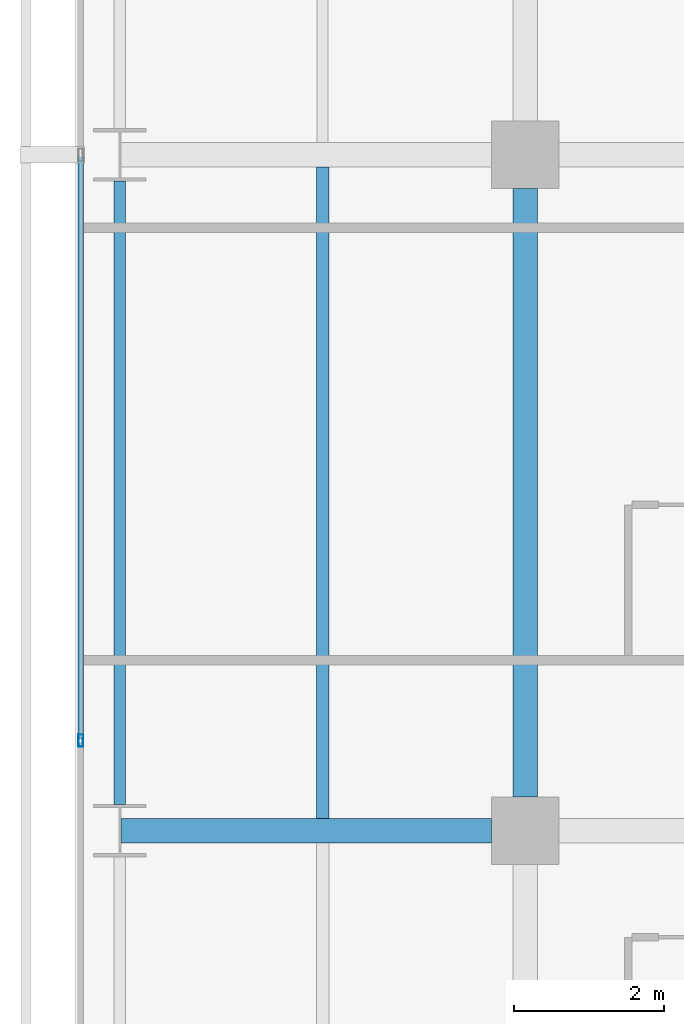
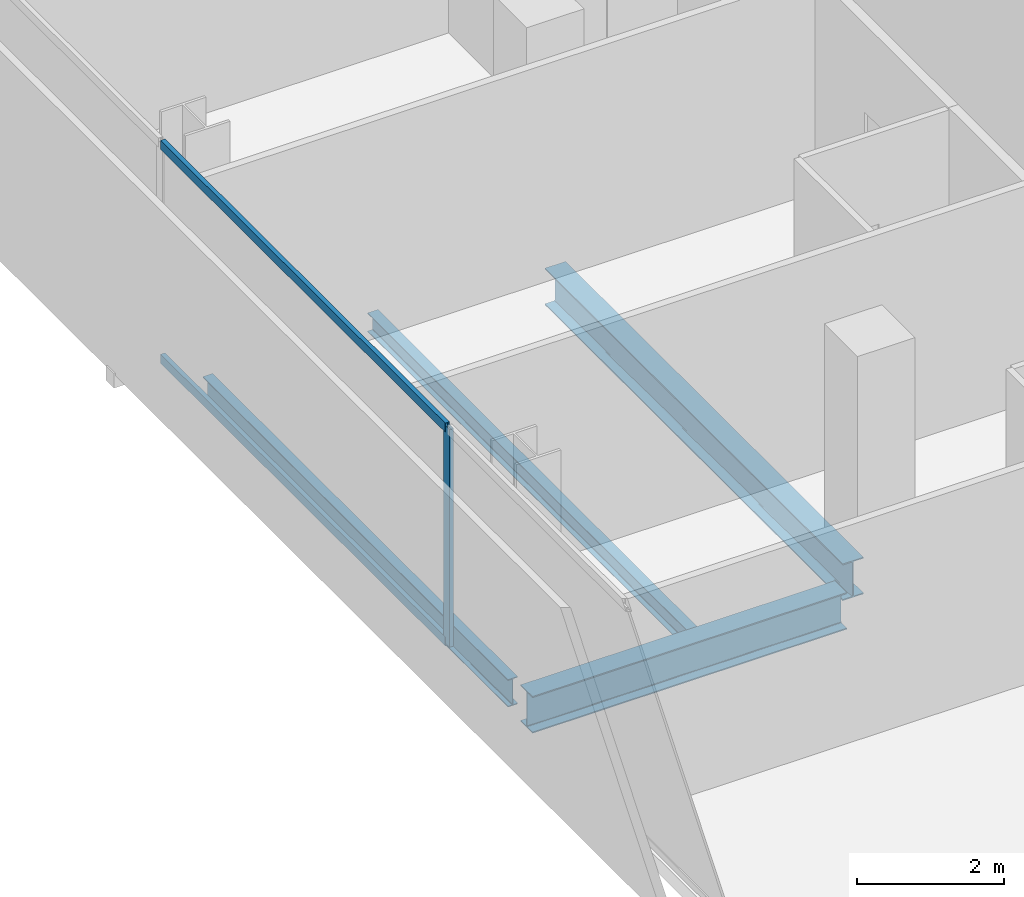
# One storey, part 10 of 40: 4 beams, 3 members, 1 element without a shape of its own.
"""IFC4 building model written with IfcOpenShell, lengths in metres."""

from ifc_helpers import new_model, si_unit, direction, frame, origin, origin_2d, place, context, subcontext, project, spatial, hollow_rectangle, i_section, extrude, material, layer, layer_set, material_profile, profile_set, type_object, element, aggregate, save


model = new_model("IFC4")

# Units and contexts
model_context = context("Model", 3, precision=1e-05, world=origin(), true_north=direction((0.0, 1.0)))
body_context = subcontext(model_context, "Body", "Model", "MODEL_VIEW")
ifc_project = project(units=[si_unit("LENGTHUNIT", "METRE"), si_unit("AREAUNIT", "SQUARE_METRE"), si_unit("VOLUMEUNIT", "CUBIC_METRE"), si_unit("PLANEANGLEUNIT", "RADIAN"), si_unit("MASSUNIT", "GRAM", prefix="KILO")], contexts=[model_context])

# Site, building, storey
site_placement = place(None, origin())
site = spatial("IfcSite", under=ifc_project, at=site_placement, CompositionType="ELEMENT")
building_placement = place(site_placement, origin())
building = spatial("IfcBuilding", under=site, at=building_placement, Name="Maruvema Waterfront Hotel and Observation Tower", CompositionType="ELEMENT")
storey_placement = place(building_placement, frame((0.0, 0.0, 96.25)))
storey = spatial("IfcBuildingStorey", under=building, at=storey_placement, Name="L23", CompositionType="ELEMENT", Elevation=96.25)

# Curtain wall, members
ifc_material_1 = material(Name="Anodised bronze aluminium and solar-control low-E IGU", Category="aluminium")
ifc_layer = layer(ifc_material_1, 0.159912109375, Name="Zone 1 Bronze Inner Thermal Curtain Wall System CW-02")
ifc_layer_set = layer_set([ifc_layer], Name="Anodised bronze aluminium and solar-control low-E IGU")
curtain_wall_type = type_object("IfcCurtainWallType", Name="Zone 1 Bronze Inner Thermal Curtain Wall System CW-02", PredefinedType="USERDEFINED", material=ifc_layer_set)
curtain_wall_placement = place(storey_placement, origin())
curtain_wall = element("IfcCurtainWall", 1, at=curtain_wall_placement, inside=storey, type_object=curtain_wall_type, Name="L23 Curtain Wall CW-L23-W", ObjectType="UNITISED CURTAIN WALL", PredefinedType="USERDEFINED")
ifc_material_2 = material(Name="Anodised architectural bronze aluminium", Category="aluminium")
ifc_material_profile_1 = material_profile(ifc_material_2, hollow_rectangle(XDim=0.070068359375, YDim=0.14990234375, WallThickness=0.00390625, at=origin_2d()), Name="ALU-T70x150")
ifc_profile_set_1 = profile_set([ifc_material_profile_1], Name="Anodised architectural bronze aluminium")
member_type_1 = type_object("IfcMemberType", Name="Curtain Wall Horizontal Transom ALU-T70x150", PredefinedType="USERDEFINED", material=ifc_profile_set_1)
member_1_placement = place(storey_placement, frame((10.8798828125, 26.969970703125, 0.030029296875), z_axis=(0.0, -1.0, 0.0), x_axis=(1.0, 0.0, 0.0)))
member_1 = element("IfcMember", 2, at=member_1_placement, type_object=member_type_1, Name="CW-02 transom 4.1", ObjectType="TRANSOM", PredefinedType="USERDEFINED", context=body_context, shape_type="SweptSolid", body=[
    extrude(hollow_rectangle(XDim=0.070068359375, YDim=0.14990234375, WallThickness=0.00390625, at=origin_2d()), origin(), (0.0, 0.0, 1.0), 7.739990234375),
])
member_2_placement = place(storey_placement, frame((10.8798828125, 26.969970703125, 3.580078125), z_axis=(0.0, -1.0, 0.0), x_axis=(1.0, 0.0, 0.0)))
member_2 = element("IfcMember", 3, at=member_2_placement, type_object=member_type_1, Name="CW-02 transom 4.2", ObjectType="TRANSOM", PredefinedType="USERDEFINED", context=body_context, shape_type="SweptSolid", body=[
    extrude(hollow_rectangle(XDim=0.070068359375, YDim=0.14990234375, WallThickness=0.00390625, at=origin_2d()), origin(), (0.0, 0.0, 1.0), 7.739990234375),
])
ifc_material_3 = material(Name="Anodised architectural bronze aluminium", Category="aluminium")
ifc_material_profile_2 = material_profile(ifc_material_3, hollow_rectangle(XDim=0.06494140625, YDim=0.1650390625, WallThickness=0.00390625, at=origin_2d()), Name="ALU-M65x165")
ifc_profile_set_2 = profile_set([ifc_material_profile_2], Name="Anodised architectural bronze aluminium")
member_type_2 = type_object("IfcMemberType", Name="Curtain Wall Primary Mullion ALU-M65x165", PredefinedType="MULLION", material=ifc_profile_set_2)
member_3_placement = place(storey_placement, frame((10.8798828125, 19.199951171875, 0.0), z_axis=(0.0, 0.0, 1.0), x_axis=(1.0, 0.0, 0.0)))
member_3 = element("IfcMember", 4, at=member_3_placement, type_object=member_type_2, Name="CW-02 mullion 5", PredefinedType="MULLION", context=body_context, shape_type="SweptSolid", body=[
    extrude(hollow_rectangle(XDim=0.06494140625, YDim=0.1650390625, WallThickness=0.00390625, at=origin_2d()), origin(), (0.0, 0.0, 1.0), 3.610107421875),
])
aggregate(curtain_wall, [member_3, member_1, member_2])

# Beams
ifc_material_4 = material(Name="Steel ASTM A572 Grade 50", Category="steel")
ifc_material_profile_3 = material_profile(ifc_material_4, i_section(OverallWidth=0.153076171875, OverallDepth=0.455078125, WebThickness=0.008056640625, FlangeThickness=0.01318359375, FilletRadius=0.014892578125, at=origin_2d()), Name="W460x60.0")
ifc_profile_set_3 = profile_set([ifc_material_profile_3], Name="Steel ASTM A572 Grade 50")
beam_type_1 = type_object("IfcBeamType", Name="Perimeter Spandrel Beam W460x60.0", PredefinedType="SPANDREL", material=ifc_profile_set_3)
beam_1_placement = place(storey_placement, frame((11.39990234375, 18.35009765625, -0.467529296875), z_axis=(0.0, 1.0, 0.0), x_axis=(-1.0, 0.0, 0.0)))
element("IfcBeam", 5, at=beam_1_placement, inside=storey, type_object=beam_type_1, Name="L23 Floor Girder NS-02", PredefinedType="SPANDREL", context=body_context, shape_type="SweptSolid", body=[
    extrude(i_section(OverallWidth=0.153076171875, OverallDepth=0.455078125, WebThickness=0.008056640625, FlangeThickness=0.01318359375, FilletRadius=0.014892578125, at=origin_2d()), origin(), (0.0, 0.0, 1.0), 8.2998046875),
])
ifc_material_5 = material(Name="Steel ASTM A572 Grade 50", Category="steel")
ifc_material_profile_4 = material_profile(ifc_material_5, i_section(OverallWidth=0.323974609375, OverallDepth=0.611083984375, WebThickness=0.0126953125, FlangeThickness=0.01904296875, FilletRadius=0.01806640625, at=origin_2d()), Name="W610x155.0")
ifc_profile_set_4 = profile_set([ifc_material_profile_4], Name="Steel ASTM A572 Grade 50")
beam_type_2 = type_object("IfcBeamType", Name="Primary Floor Girder W610x155.0", PredefinedType="BEAM", material=ifc_profile_set_4)
beam_2_placement = place(storey_placement, frame((11.4140625, 18.0, -0.54541015625), z_axis=(1.0, 0.0, 0.0), x_axis=(0.0, 1.0, 0.0)))
element("IfcBeam", 6, at=beam_2_placement, inside=storey, type_object=beam_type_2, Name="L23 Floor Girder EW-13", PredefinedType="BEAM", context=body_context, shape_type="SweptSolid", body=[
    extrude(i_section(OverallWidth=0.323974609375, OverallDepth=0.611083984375, WebThickness=0.0126953125, FlangeThickness=0.01904296875, FilletRadius=0.01806640625, at=origin_2d()), origin(), (0.0, 0.0, 1.0), 4.93603515625),
])
beam_3_placement = place(storey_placement, frame((16.800048828125, 18.449951171875, -0.54541015625), z_axis=(0.0, 1.0, 0.0), x_axis=(-1.0, 0.0, 0.0)))
element("IfcBeam", 7, at=beam_3_placement, inside=storey, type_object=beam_type_2, Name="L23 Floor Girder NS-07", PredefinedType="BEAM", context=body_context, shape_type="SweptSolid", body=[
    extrude(i_section(OverallWidth=0.323974609375, OverallDepth=0.611083984375, WebThickness=0.0126953125, FlangeThickness=0.01904296875, FilletRadius=0.01806640625, at=origin_2d()), origin(), (0.0, 0.0, 1.0), 8.10009765625),
])
ifc_material_6 = material(Name="Steel ASTM A572 Grade 50", Category="steel")
ifc_material_profile_5 = material_profile(ifc_material_6, i_section(OverallWidth=0.1650390625, OverallDepth=0.31005859375, WebThickness=0.005859375, FlangeThickness=0.009765625, FilletRadius=0.012939453125, at=origin_2d()), Name="W310x38.7")
ifc_profile_set_5 = profile_set([ifc_material_profile_5], Name="Steel ASTM A572 Grade 50")
beam_type_3 = type_object("IfcBeamType", Name="Secondary Floor Joist W310x38.7", PredefinedType="JOIST", material=ifc_profile_set_5)
beam_4_placement = place(storey_placement, frame((14.10009765625, 18.162109375, -0.39501953125), z_axis=(0.0, 1.0, 0.0), x_axis=(-1.0, 0.0, 0.0)))
element("IfcBeam", 8, at=beam_4_placement, inside=storey, type_object=beam_type_3, Name="L23 Secondary Floor Joist JS-02", PredefinedType="JOIST", context=body_context, shape_type="SweptSolid", body=[
    extrude(i_section(OverallWidth=0.1650390625, OverallDepth=0.31005859375, WebThickness=0.005859375, FlangeThickness=0.009765625, FilletRadius=0.012939453125, at=origin_2d()), origin(), (0.0, 0.0, 1.0), 8.67578125),
])

save(model, "model.ifc")
